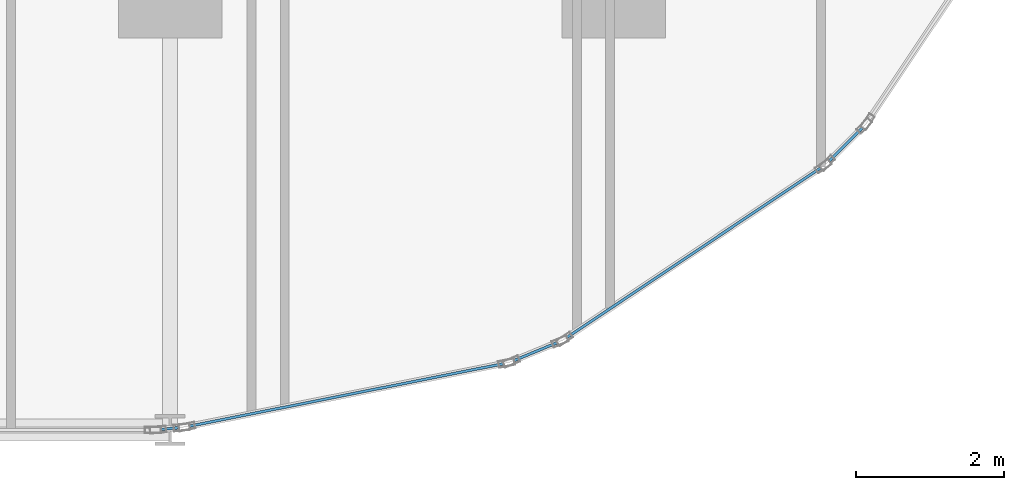
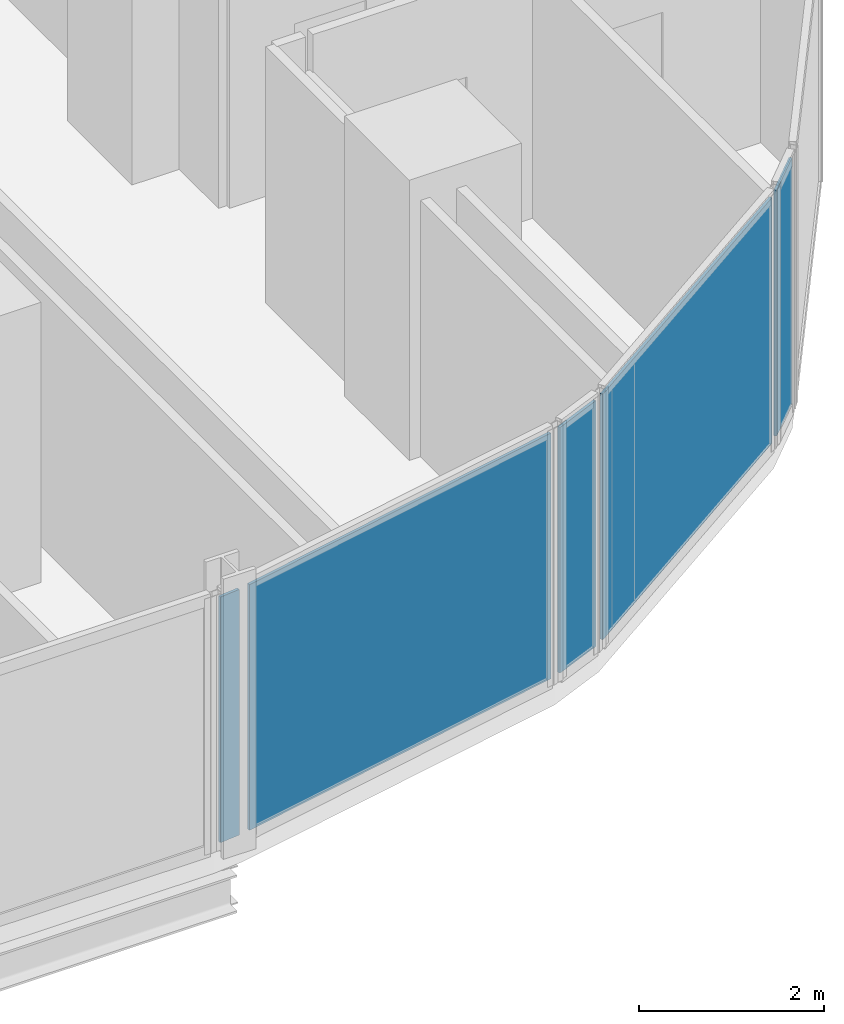
# One storey, part 22 of 33: 5 plates, 5 elements without a shape of their own.
"""IFC4 building model written with IfcOpenShell, lengths in metres."""

from ifc_helpers import new_model, si_unit, direction, frame, origin, origin_2d, place, context, subcontext, project, spatial, rectangle, extrude, material, layer, layer_set, type_object, element, aggregate, save


model = new_model("IFC4")

# Units and contexts
model_context = context("Model", 3, precision=1e-05, world=origin(), true_north=direction((0.0, 1.0)))
body_context = subcontext(model_context, "Body", "Model", "MODEL_VIEW")
ifc_project = project(units=[si_unit("LENGTHUNIT", "METRE"), si_unit("AREAUNIT", "SQUARE_METRE"), si_unit("VOLUMEUNIT", "CUBIC_METRE"), si_unit("PLANEANGLEUNIT", "RADIAN"), si_unit("MASSUNIT", "GRAM", prefix="KILO")], contexts=[model_context])

# Site, building, storey
site_placement = place(None, origin())
site = spatial("IfcSite", under=ifc_project, at=site_placement, CompositionType="ELEMENT")
building_placement = place(site_placement, origin())
building = spatial("IfcBuilding", under=site, at=building_placement, Name="Keshet Zoharim Tower", CompositionType="ELEMENT")
storey_placement = place(building_placement, frame((0.0, 0.0, 42.5)))
storey = spatial("IfcBuildingStorey", under=building, at=storey_placement, Name="L09", CompositionType="ELEMENT", Elevation=42.5)

# Curtain wall, plate
ifc_material_1 = material(Name="Aluminium 6063-T6", Category="aluminium")
ifc_layer_1 = layer(ifc_material_1, 0.179931640625)
ifc_layer_set_1 = layer_set([ifc_layer_1], Name="Aluminium 6063-T6")
curtain_wall_type = type_object("IfcCurtainWallType", Name="CW-SYS-01", PredefinedType="NOTDEFINED", material=ifc_layer_set_1)
curtain_wall_1_placement = place(storey_placement, origin())
curtain_wall_1 = element("IfcCurtainWall", 1, at=curtain_wall_1_placement, inside=storey, type_object=curtain_wall_type, Name="L09 Unitised Curtain Wall 21", PredefinedType="NOTDEFINED")
ifc_material_2 = material(Name="Insulated Low-E Clear Glass", Category="glass")
ifc_layer_2 = layer(ifc_material_2, 0.035888671875)
ifc_layer_set_2 = layer_set([ifc_layer_2], Name="Insulated Low-E Clear Glass")
plate_type = type_object("IfcPlateType", Name="CWP-01", PredefinedType="CURTAIN_PANEL", material=ifc_layer_set_2)
plate_1_placement = place(storey_placement, frame((66.137451171875, 4.5625, 0.06982421875), z_axis=(0.0, 0.0, 1.0), x_axis=(-0.707106781187, -0.707106781187, 0.0)))
plate_1 = element("IfcPlate", 2, at=plate_1_placement, type_object=plate_type, Name="CW-01 panel 1.1", PredefinedType="CURTAIN_PANEL", context=body_context, shape_type="SweptSolid", body=[
    extrude(rectangle(XDim=0.63916015625, YDim=0.035888671875, at=origin_2d()), origin(), (0.0, 0.0, 1.0), 3.2451171875),
])
aggregate(curtain_wall_1, [plate_1])

curtain_wall_2_placement = place(storey_placement, origin())
curtain_wall_2 = element("IfcCurtainWall", 3, at=curtain_wall_2_placement, inside=storey, type_object=curtain_wall_type, Name="L09 Unitised Curtain Wall 22", PredefinedType="NOTDEFINED")
plate_2_placement = place(storey_placement, frame((64.083984375, 3.09912109375, 0.06982421875), z_axis=(0.0, 0.0, 1.0), x_axis=(-0.831474282335, -0.555563243758, 0.0)))
plate_2 = element("IfcPlate", 4, at=plate_2_placement, type_object=plate_type, Name="CW-01 panel 1.1", PredefinedType="CURTAIN_PANEL", context=body_context, shape_type="SweptSolid", body=[
    extrude(rectangle(XDim=4.13671875, YDim=0.035888671875, at=origin_2d()), origin(), (0.0, 0.0, 1.0), 3.2451171875),
])
aggregate(curtain_wall_2, [plate_2])

curtain_wall_3_placement = place(storey_placement, origin())
curtain_wall_3 = element("IfcCurtainWall", 5, at=curtain_wall_3_placement, inside=storey, type_object=curtain_wall_type, Name="L09 Unitised Curtain Wall 23", PredefinedType="NOTDEFINED")
plate_3_placement = place(storey_placement, frame((61.945556640625, 1.761474609375, 0.06982421875), z_axis=(0.0, 0.0, 1.0), x_axis=(-0.923720000557, -0.383068349739, 0.0)))
plate_3 = element("IfcPlate", 6, at=plate_3_placement, type_object=plate_type, Name="CW-01 panel 1.1", PredefinedType="CURTAIN_PANEL", context=body_context, shape_type="SweptSolid", body=[
    extrude(rectangle(XDim=0.640625, YDim=0.035888671875, at=origin_2d()), origin(), (0.0, 0.0, 1.0), 3.2451171875),
])
aggregate(curtain_wall_3, [plate_3])

curtain_wall_4_placement = place(storey_placement, origin())
curtain_wall_4 = element("IfcCurtainWall", 7, at=curtain_wall_4_placement, inside=storey, type_object=curtain_wall_type, Name="L09 Unitised Curtain Wall 24", PredefinedType="NOTDEFINED")
plate_4_placement = place(storey_placement, frame((59.388916015625, 1.175048828125, 0.06982421875), z_axis=(0.0, 0.0, 1.0), x_axis=(-0.98076917357, -0.195171279072, 0.0)))
plate_4 = element("IfcPlate", 8, at=plate_4_placement, type_object=plate_type, Name="CW-01 panel 1.1", PredefinedType="CURTAIN_PANEL", context=body_context, shape_type="SweptSolid", body=[
    extrude(rectangle(XDim=4.338134765625, YDim=0.035888671875, at=origin_2d()), origin(), (0.0, 0.0, 1.0), 3.2451171875),
])
aggregate(curtain_wall_4, [plate_4])

curtain_wall_5_placement = place(storey_placement, origin())
curtain_wall_5 = element("IfcCurtainWall", 9, at=curtain_wall_5_placement, inside=storey, type_object=curtain_wall_type, Name="L09 Unitised Curtain Wall 25", PredefinedType="NOTDEFINED")
plate_5_placement = place(storey_placement, frame((56.998046875, 0.718994140625, 0.06982421875), z_axis=(0.0, 0.0, 1.0), x_axis=(-0.995286657009, -0.096976648633, 0.0)))
plate_5 = element("IfcPlate", 10, at=plate_5_placement, type_object=plate_type, Name="CW-01 panel 1.1", PredefinedType="CURTAIN_PANEL", context=body_context, shape_type="SweptSolid", body=[
    extrude(rectangle(XDim=0.251953125, YDim=0.035888671875, at=origin_2d()), origin(), (0.0, 0.0, 1.0), 3.2451171875),
])
aggregate(curtain_wall_5, [plate_5])

save(model, "model.ifc")
